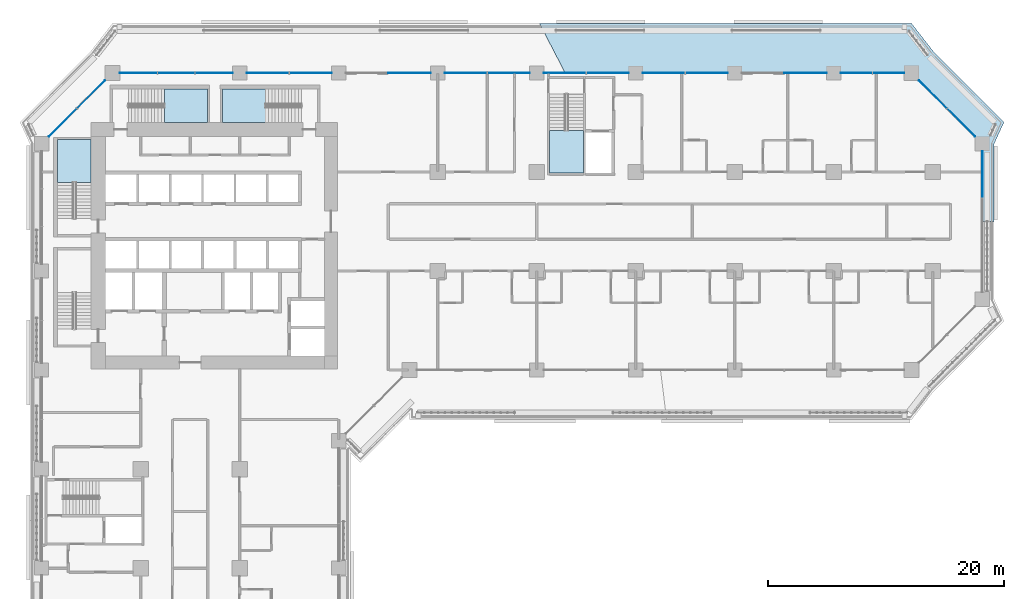
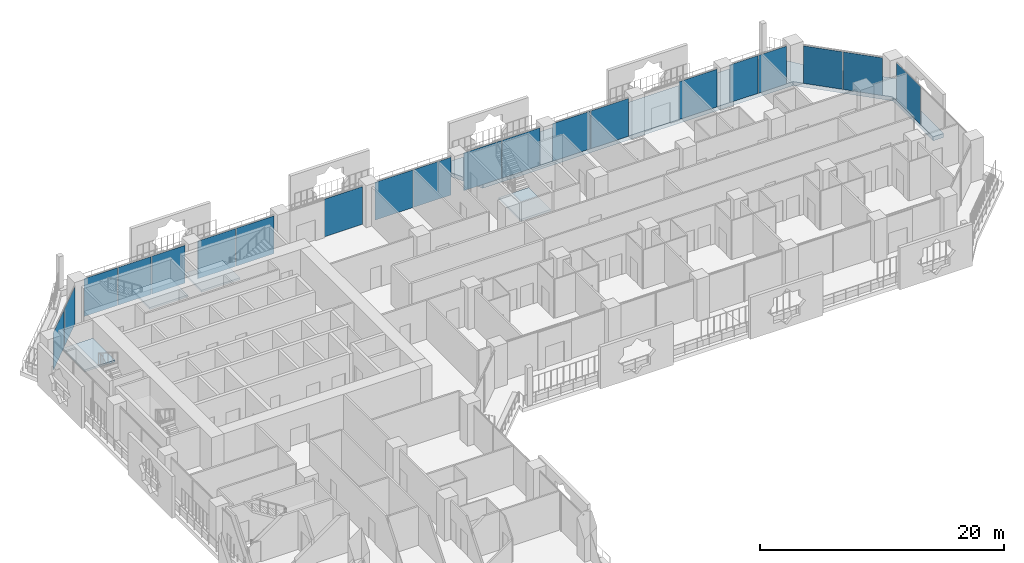
# One storey, part 12 of 29: 20 plates, 5 slabs, 8 elements without a shape of their own.
"""IFC4 building model written with IfcOpenShell, lengths in metres."""

import ifcopenshell
import ifcopenshell.guid

model = None  # the IFC model being written
_history = None  # IfcOwnerHistory: only IFC2X3 demands one
_inside = {}  # id of a spatial element -> (the spatial element, [elements in it])
_under = {}  # id of a project, library or spatial element -> (it, [spatial elements below it])
_declared = {}  # id of a project -> (the project, [libraries it declares])
_typed = {}  # id of a type object -> (the type object, [elements of that type])
_made_of = {}  # id of a material, layer set ... -> (it, [elements and type objects made of it])


def new_model(schema):
    """Start an empty IFC model of exactly this schema.

    Asked for "IFC4X3", IfcOpenShell would pick the latest addendum, in which some entities
    have other attributes; the version numbers below select the first issue.
    IFC2X3 requires an IfcOwnerHistory on every rooted entity: one is made here for all.
    """
    global model, _history
    if schema == "IFC4X3":
        model = ifcopenshell.file(schema_version=(4, 3, 0, 0))
    else:
        model = ifcopenshell.file(schema=schema)
    _inside.clear()
    _under.clear()
    _declared.clear()
    _typed.clear()
    _made_of.clear()
    _history = None
    if model.schema == "IFC2X3":
        org = make("IfcOrganization", Name="unknown")
        user = make(
            "IfcPersonAndOrganization",
            ThePerson=make("IfcPerson", FamilyName="unknown"),
            TheOrganization=org,
        )
        app = make(
            "IfcApplication",
            ApplicationDeveloper=org,
            Version="unknown",
            ApplicationFullName="unknown",
            ApplicationIdentifier="unknown",
        )
        _history = make(
            "IfcOwnerHistory",
            OwningUser=user,
            OwningApplication=app,
            ChangeAction="ADDED",
            CreationDate=0,
        )
    return model


def make(cls, **values):
    """One entity of the class cls with the attributes given. An attribute that is None is left unset."""
    return model.create_entity(
        cls, **{name: value for name, value in values.items() if value is not None}
    )


def rooted(cls, **values):
    """An entity with a GlobalId (a new one), such as an element, a storey or a relation."""
    return make(cls, GlobalId=ifcopenshell.guid.new(), OwnerHistory=_history, **values)


def si_unit(unit_type, name, prefix=None):
    """IfcSIUnit, for example si_unit("LENGTHUNIT", "METRE", prefix="MILLI")."""
    return make("IfcSIUnit", UnitType=unit_type, Prefix=prefix, Name=name)


def assignment(units):
    """IfcUnitAssignment: the units of a project."""
    return None if units is None else make("IfcUnitAssignment", Units=units)


def point(xyz):
    """IfcCartesianPoint."""
    return None if xyz is None else make("IfcCartesianPoint", Coordinates=xyz)


def direction(xyz):
    """IfcDirection."""
    return None if xyz is None else make("IfcDirection", DirectionRatios=xyz)


def frame(location, z_axis=None, x_axis=None):
    """IfcAxis2Placement3D, a coordinate frame: its origin and axes. An axis left out is left unset."""
    return make(
        "IfcAxis2Placement3D",
        Location=point(location),
        Axis=direction(z_axis),
        RefDirection=direction(x_axis),
    )


def frame_2d(location, x_axis=None):
    """IfcAxis2Placement2D, a coordinate frame in the plane: its origin and x axis."""
    return make(
        "IfcAxis2Placement2D", Location=point(location), RefDirection=direction(x_axis)
    )


def origin():
    """The frame at (0, 0, 0) with its axes left unset."""
    return frame((0.0, 0.0, 0.0))


def origin_2d():
    """The frame at (0, 0) in the plane with its x axis left unset."""
    return frame_2d((0.0, 0.0))


def place(relative_to, where):
    """IfcLocalPlacement: puts the frame where relative to a parent placement (None: the world)."""
    return make(
        "IfcLocalPlacement", PlacementRelTo=relative_to, RelativePlacement=where
    )


def context(
    kind, dimensions, precision=None, world=None, true_north=None, identifier=None
):
    """IfcGeometricRepresentationContext, for example the 3D "Model" context."""
    return make(
        "IfcGeometricRepresentationContext",
        ContextIdentifier=identifier,
        ContextType=kind,
        CoordinateSpaceDimension=dimensions,
        Precision=precision,
        WorldCoordinateSystem=world,
        TrueNorth=true_north,
    )


def subcontext(parent, identifier, kind, view, scale=None):
    """IfcGeometricRepresentationSubContext, for example "Body" below "Model"."""
    return make(
        "IfcGeometricRepresentationSubContext",
        ContextIdentifier=identifier,
        ContextType=kind,
        ParentContext=parent,
        TargetScale=scale,
        TargetView=view,
    )


def project(units=None, contexts=None):
    """IfcProject with its units and contexts."""
    return rooted(
        "IfcProject",
        Name="project",
        RepresentationContexts=contexts,
        UnitsInContext=assignment(units),
    )


def spatial(cls, under=None, at=None, **own):
    """A site, building, storey or space (cls), placed at a placement, below another one or the project."""
    s = rooted(cls, ObjectPlacement=at, **own)
    if under is not None:
        _under.setdefault(under.id(), (under, []))[1].append(s)
    return s


def polyline(points):
    """IfcPolyline through the points."""
    return make("IfcPolyline", Points=[point(p) for p in points])


def profile(cls, at=None, kind="AREA", **sizes):
    """A parametric profile (cls). Its sizes go by their IFC names, for example OverallWidth=200.0."""
    return make(cls, ProfileType=kind, Position=at, **sizes)


def rectangle(**sizes):
    """IfcRectangleProfileDef."""
    return profile("IfcRectangleProfileDef", **sizes)


def outline(outer, holes=None, kind="AREA"):
    """IfcArbitraryClosedProfileDef: a profile drawn as a closed curve; with holes, ...WithVoids."""
    if holes is None:
        return make("IfcArbitraryClosedProfileDef", ProfileType=kind, OuterCurve=outer)
    return make(
        "IfcArbitraryProfileDefWithVoids",
        ProfileType=kind,
        OuterCurve=outer,
        InnerCurves=holes,
    )


def extrude(swept, where, along, depth):
    """IfcExtrudedAreaSolid: the profile swept, set in the frame where, extruded along a direction by depth."""
    return make(
        "IfcExtrudedAreaSolid",
        SweptArea=swept,
        Position=where,
        ExtrudedDirection=direction(along),
        Depth=depth,
    )


def shape(context_of_items, identifier, shape_type, items):
    """IfcShapeRepresentation: the items that make up one representation, for example the "Body"."""
    return make(
        "IfcShapeRepresentation",
        ContextOfItems=context_of_items,
        RepresentationIdentifier=identifier,
        RepresentationType=shape_type,
        Items=items,
    )


def material(Name=None, Category=None):
    """IfcMaterial."""
    return make("IfcMaterial", Name=Name, Category=Category)


def layer(
    of_material, thickness, ventilated=None, Name=None, Category=None, Priority=None
):
    """IfcMaterialLayer: one layer of a wall or slab, of a material (None: an air gap)."""
    return make(
        "IfcMaterialLayer",
        Material=of_material,
        LayerThickness=thickness,
        IsVentilated=ventilated,
        Name=Name,
        Category=Category,
        Priority=Priority,
    )


def layer_set(layers, Name=None):
    """IfcMaterialLayerSet."""
    return make("IfcMaterialLayerSet", MaterialLayers=layers, LayerSetName=Name)


def made_of(thing, what):
    """Note that an element or type object is made of a material, layer set ...; save() writes the relation."""
    if what is not None:
        _made_of.setdefault(what.id(), (what, []))[1].append(thing)
    return thing


def type_object(cls, material=None, **own):
    """A type object (cls), such as IfcWallType, which elements share."""
    return made_of(rooted(cls, **own), material)


def element(
    cls,
    number,
    at=None,
    inside=None,
    cuts=None,
    type_object=None,
    material=None,
    context=None,
    identifier="Body",
    shape_type=None,
    held_by="IfcProductDefinitionShape",
    body=None,
    shapes=None,
    **own,
):
    """One element of the class cls, such as IfcWall. Its Tag is "e" and its number.

    at: its placement. inside: the storey or other place that contains it. cuts: it is an
    opening in that element (IfcRelVoidsElement). A single representation is given by context,
    identifier, shape_type and body (its items); several are given by shapes. held_by: the class
    of the entity that holds the representations. save() writes the other relations.
    """
    e = rooted(cls, Tag="e%d" % number, ObjectPlacement=at, **own)
    if body is not None:
        shapes = [shape(context, identifier, shape_type, body)]
    if shapes is not None:
        e.Representation = make(held_by, Representations=shapes)
    if inside is not None:
        _inside.setdefault(inside.id(), (inside, []))[1].append(e)
    if cuts is not None:
        rooted(
            "IfcRelVoidsElement", RelatingBuildingElement=cuts, RelatedOpeningElement=e
        )
    if type_object is not None:
        _typed.setdefault(type_object.id(), (type_object, []))[1].append(e)
    return made_of(e, material)


def aggregate(whole, parts):
    """IfcRelAggregates: a whole, such as a stair, and the parts it consists of."""
    return rooted("IfcRelAggregates", RelatingObject=whole, RelatedObjects=parts)


def save(model, path):
    """Write the relations noted so far, then the file.

    IfcRelAggregates (storeys below a building ...), IfcRelContainedInSpatialStructure (elements
    in a storey), IfcRelDefinesByType, IfcRelAssociatesMaterial and IfcRelDeclares: one each for
    every whole, place, type object, material and project.
    """
    for whole, parts in _under.values():
        aggregate(whole, parts)
    for where, things in _inside.values():
        rooted(
            "IfcRelContainedInSpatialStructure",
            RelatedElements=things,
            RelatingStructure=where,
        )
    for kind, things in _typed.values():
        rooted("IfcRelDefinesByType", RelatedObjects=things, RelatingType=kind)
    for what, things in _made_of.values():
        rooted("IfcRelAssociatesMaterial", RelatedObjects=things, RelatingMaterial=what)
    for by, libraries in _declared.values():
        rooted("IfcRelDeclares", RelatingContext=by, RelatedDefinitions=libraries)
    model.write(path)


model = new_model("IFC4")

# Units and contexts
model_context = context("Model", 3, precision=1e-05, world=origin(), true_north=direction((0.0, 1.0)))
body_context = subcontext(model_context, "Body", "Model", "MODEL_VIEW")
ifc_project = project(units=[si_unit("LENGTHUNIT", "METRE"), si_unit("AREAUNIT", "SQUARE_METRE"), si_unit("VOLUMEUNIT", "CUBIC_METRE"), si_unit("PLANEANGLEUNIT", "RADIAN"), si_unit("MASSUNIT", "GRAM", prefix="KILO")], contexts=[model_context])

# Site, building, storey
site_placement = place(None, origin())
site = spatial("IfcSite", under=ifc_project, at=site_placement, CompositionType="ELEMENT")
building_placement = place(site_placement, origin())
building = spatial("IfcBuilding", under=site, at=building_placement, Name="Kawkab Arch Medical Tower", CompositionType="ELEMENT")
storey_placement = place(building_placement, frame((0.0, 0.0, 60.199951171875)))
storey = spatial("IfcBuildingStorey", under=building, at=storey_placement, Name="L13", CompositionType="ELEMENT", Elevation=60.199951171875)

# Curtain wall, plate
ifc_material_1 = material(Name="Bronze anodised aluminium curtain wall frame", Category="aluminium")
ifc_layer_1 = layer(ifc_material_1, 0.159912109375)
ifc_layer_set_1 = layer_set([ifc_layer_1], Name="Bronze anodised aluminium curtain wall frame")
curtain_wall_type_1 = type_object("IfcCurtainWallType", Name="CW1 ward curtain wall", PredefinedType="NOTDEFINED", material=ifc_layer_set_1)
placement_1 = place(storey_placement, origin())
curtain_wall_1 = element("IfcCurtainWall", 1, at=placement_1, inside=storey, type_object=curtain_wall_type_1, Name="CW1 Ward curtain wall R09", PredefinedType="NOTDEFINED")
ifc_material_2 = material(Name="Tinted insulating glass, bronze low-e coating", Category="glass")
ifc_layer_2 = layer(ifc_material_2, 0.031982421875)
ifc_layer_set_2 = layer_set([ifc_layer_2], Name="Tinted insulating glass, bronze low-e coating")
plate_type_1 = type_object("IfcPlateType", Name="CW1 glazing unit 32", PredefinedType="CURTAIN_PANEL", material=ifc_layer_set_2)
plate_1_placement = place(storey_placement, frame((79.800048828125, -8.6015625, 0.0), z_axis=(0.0, 0.0, 1.0), x_axis=(0.0, 1.0, 0.0)))
plate_1 = element("IfcPlate", 2, at=plate_1_placement, type_object=plate_type_1, Name="CW1 glazing unit 1.3", PredefinedType="CURTAIN_PANEL", context=body_context, shape_type="SweptSolid", body=[
    extrude(rectangle(XDim=3.953369140625, YDim=0.031982421875, at=origin_2d()), origin(), (0.0, 0.0, 1.0), 3.780029296875),
])
aggregate(curtain_wall_1, [plate_1])

# Curtain wall, plates
curtain_wall_2 = element("IfcCurtainWall", 3, at=placement_1, inside=storey, type_object=curtain_wall_type_1, Name="CW1 Ward curtain wall R11", PredefinedType="NOTDEFINED")
plate_2_placement = place(storey_placement, frame((71.84619140625, 0.0, 0.0), z_axis=(0.0, 0.0, 1.0), x_axis=(-1.0, 0.0, 0.0)))
plate_2 = element("IfcPlate", 4, at=plate_2_placement, type_object=plate_type_1, Name="CW1 glazing unit 1.1", PredefinedType="CURTAIN_PANEL", context=body_context, shape_type="SweptSolid", body=[
    extrude(rectangle(XDim=2.657470703125, YDim=0.031982421875, at=origin_2d()), origin(), (0.0, 0.0, 1.0), 3.780029296875),
])
plate_3_placement = place(storey_placement, frame((69.128662109375, 0.0, 0.0), z_axis=(0.0, 0.0, 1.0), x_axis=(-1.0, 0.0, 0.0)))
plate_3 = element("IfcPlate", 5, at=plate_3_placement, type_object=plate_type_1, Name="CW1 glazing unit 1.2", PredefinedType="CURTAIN_PANEL", context=body_context, shape_type="SweptSolid", body=[
    extrude(rectangle(XDim=2.657470703125, YDim=0.031982421875, at=origin_2d()), origin(), (0.0, 0.0, 1.0), 3.780029296875),
])
plate_4_placement = place(storey_placement, frame((64.800048828125, 0.0, 0.0), z_axis=(0.0, 0.0, 1.0), x_axis=(-1.0, 0.0, 0.0)))
plate_4 = element("IfcPlate", 6, at=plate_4_placement, type_object=plate_type_1, Name="CW1 glazing unit 2.1", PredefinedType="CURTAIN_PANEL", context=body_context, shape_type="SweptSolid", body=[
    extrude(rectangle(XDim=3.60009765625, YDim=0.031982421875, at=origin_2d()), origin(), (0.0, 0.0, 1.0), 3.780029296875),
])
plate_5_placement = place(storey_placement, frame((56.4150390625, 0.0, 0.0), z_axis=(0.0, 0.0, 1.0), x_axis=(-1.0, 0.0, 0.0)))
plate_5 = element("IfcPlate", 7, at=plate_5_placement, type_object=plate_type_1, Name="CW1 glazing unit 3.1", PredefinedType="CURTAIN_PANEL", context=body_context, shape_type="SweptSolid", body=[
    extrude(rectangle(XDim=3.570068359375, YDim=0.031982421875, at=origin_2d()), origin(), (0.0, 0.0, 1.0), 3.780029296875),
])
plate_6_placement = place(storey_placement, frame((52.784912109375, 0.0, 0.0), z_axis=(0.0, 0.0, 1.0), x_axis=(-1.0, 0.0, 0.0)))
plate_6 = element("IfcPlate", 8, at=plate_6_placement, type_object=plate_type_1, Name="CW1 glazing unit 3.2", PredefinedType="CURTAIN_PANEL", context=body_context, shape_type="SweptSolid", body=[
    extrude(rectangle(XDim=3.570068359375, YDim=0.031982421875, at=origin_2d()), origin(), (0.0, 0.0, 1.0), 3.780029296875),
])
plate_7_placement = place(storey_placement, frame((48.014892578125, 0.0, 0.0), z_axis=(0.0, 0.0, 1.0), x_axis=(-1.0, 0.0, 0.0)))
plate_7 = element("IfcPlate", 9, at=plate_7_placement, type_object=plate_type_1, Name="CW1 glazing unit 4.1", PredefinedType="CURTAIN_PANEL", context=body_context, shape_type="SweptSolid", body=[
    extrude(rectangle(XDim=3.570068359375, YDim=0.031982421875, at=origin_2d()), origin(), (0.0, 0.0, 1.0), 3.780029296875),
])
plate_8_placement = place(storey_placement, frame((44.385009765625, 0.0, 0.0), z_axis=(0.0, 0.0, 1.0), x_axis=(-1.0, 0.0, 0.0)))
plate_8 = element("IfcPlate", 10, at=plate_8_placement, type_object=plate_type_1, Name="CW1 glazing unit 4.2", PredefinedType="CURTAIN_PANEL", context=body_context, shape_type="SweptSolid", body=[
    extrude(rectangle(XDim=3.570068359375, YDim=0.031982421875, at=origin_2d()), origin(), (0.0, 0.0, 1.0), 3.780029296875),
])
plate_9_placement = place(storey_placement, frame((39.614990234375, 0.0, 0.0), z_axis=(0.0, 0.0, 1.0), x_axis=(-1.0, 0.0, 0.0)))
plate_9 = element("IfcPlate", 11, at=plate_9_placement, type_object=plate_type_1, Name="CW1 glazing unit 5.1", PredefinedType="CURTAIN_PANEL", context=body_context, shape_type="SweptSolid", body=[
    extrude(rectangle(XDim=3.570068359375, YDim=0.031982421875, at=origin_2d()), origin(), (0.0, 0.0, 1.0), 3.780029296875),
])
plate_10_placement = place(storey_placement, frame((35.985107421875, 0.0, 0.0), z_axis=(0.0, 0.0, 1.0), x_axis=(-1.0, 0.0, 0.0)))
plate_10 = element("IfcPlate", 12, at=plate_10_placement, type_object=plate_type_1, Name="CW1 glazing unit 5.2", PredefinedType="CURTAIN_PANEL", context=body_context, shape_type="SweptSolid", body=[
    extrude(rectangle(XDim=3.570068359375, YDim=0.031982421875, at=origin_2d()), origin(), (0.0, 0.0, 1.0), 3.780029296875),
])
plate_11_placement = place(storey_placement, frame((31.199951171875, 0.0, 0.0), z_axis=(0.0, 0.0, 1.0), x_axis=(-1.0, 0.0, 0.0)))
plate_11 = element("IfcPlate", 13, at=plate_11_placement, type_object=plate_type_1, Name="CW1 glazing unit 6.1", PredefinedType="CURTAIN_PANEL", context=body_context, shape_type="SweptSolid", body=[
    extrude(rectangle(XDim=3.60009765625, YDim=0.031982421875, at=origin_2d()), origin(), (0.0, 0.0, 1.0), 3.780029296875),
])
plate_12_placement = place(storey_placement, frame((22.81494140625, 0.0, 0.0), z_axis=(0.0, 0.0, 1.0), x_axis=(-1.0, 0.0, 0.0)))
plate_12 = element("IfcPlate", 14, at=plate_12_placement, type_object=plate_type_1, Name="CW1 glazing unit 7.1", PredefinedType="CURTAIN_PANEL", context=body_context, shape_type="SweptSolid", body=[
    extrude(rectangle(XDim=3.570068359375, YDim=0.031982421875, at=origin_2d()), origin(), (0.0, 0.0, 1.0), 3.780029296875),
])
plate_13_placement = place(storey_placement, frame((19.18505859375, 0.0, 0.0), z_axis=(0.0, 0.0, 1.0), x_axis=(-1.0, 0.0, 0.0)))
plate_13 = element("IfcPlate", 15, at=plate_13_placement, type_object=plate_type_1, Name="CW1 glazing unit 7.2", PredefinedType="CURTAIN_PANEL", context=body_context, shape_type="SweptSolid", body=[
    extrude(rectangle(XDim=3.570068359375, YDim=0.031982421875, at=origin_2d()), origin(), (0.0, 0.0, 1.0), 3.780029296875),
])
plate_14_placement = place(storey_placement, frame((14.619140625, 0.0, 0.0), z_axis=(0.0, 0.0, 1.0), x_axis=(-1.0, 0.0, 0.0)))
plate_14 = element("IfcPlate", 16, at=plate_14_placement, type_object=plate_type_1, Name="CW1 glazing unit 8.1", PredefinedType="CURTAIN_PANEL", context=body_context, shape_type="SweptSolid", body=[
    extrude(rectangle(XDim=3.16162109375, YDim=0.031982421875, at=origin_2d()), origin(), (0.0, 0.0, 1.0), 3.780029296875),
])
plate_15_placement = place(storey_placement, frame((11.41259765625, 0.0, 0.0), z_axis=(0.0, 0.0, 1.0), x_axis=(-1.0, 0.0, 0.0)))
plate_15 = element("IfcPlate", 17, at=plate_15_placement, type_object=plate_type_1, Name="CW1 glazing unit 8.2", PredefinedType="CURTAIN_PANEL", context=body_context, shape_type="SweptSolid", body=[
    extrude(rectangle(XDim=3.131591796875, YDim=0.031982421875, at=origin_2d()), origin(), (0.0, 0.0, 1.0), 3.780029296875),
])
plate_16_placement = place(storey_placement, frame((8.205810546875, 0.0, 0.0), z_axis=(0.0, 0.0, 1.0), x_axis=(-1.0, 0.0, 0.0)))
plate_16 = element("IfcPlate", 18, at=plate_16_placement, type_object=plate_type_1, Name="CW1 glazing unit 8.3", PredefinedType="CURTAIN_PANEL", context=body_context, shape_type="SweptSolid", body=[
    extrude(rectangle(XDim=3.16162109375, YDim=0.031982421875, at=origin_2d()), origin(), (0.0, 0.0, 1.0), 3.780029296875),
])
aggregate(curtain_wall_2, [plate_2, plate_3, plate_4, plate_5, plate_6, plate_7, plate_8, plate_9, plate_10, plate_11, plate_12, plate_13, plate_14, plate_15, plate_16])

ifc_material_3 = material(Name="Bronze anodised aluminium curtain wall frame", Category="aluminium")
ifc_layer_3 = layer(ifc_material_3, 0.159912109375)
ifc_layer_set_3 = layer_set([ifc_layer_3], Name="Bronze anodised aluminium curtain wall frame")
curtain_wall_type_2 = type_object("IfcCurtainWallType", Name="CW2 chamfer curtain wall", PredefinedType="NOTDEFINED", material=ifc_layer_set_3)
curtain_wall_3 = element("IfcCurtainWall", 19, at=placement_1, inside=storey, type_object=curtain_wall_type_2, Name="CW2 Chamfer curtain wall R10", PredefinedType="NOTDEFINED")
ifc_material_4 = material(Name="Tinted insulating glass, bronze low-e coating", Category="glass")
ifc_layer_4 = layer(ifc_material_4, 0.031982421875)
ifc_layer_set_4 = layer_set([ifc_layer_4], Name="Tinted insulating glass, bronze low-e coating")
plate_type_2 = type_object("IfcPlateType", Name="CW2 glazing unit 32", PredefinedType="CURTAIN_PANEL", material=ifc_layer_set_4)
plate_17_placement = place(storey_placement, frame((77.998046875, -4.197998046875, 0.0), z_axis=(0.0, 0.0, 1.0), x_axis=(-0.707106781187, 0.707106781187, 0.0)))
plate_17 = element("IfcPlate", 20, at=plate_17_placement, type_object=plate_type_2, Name="CW2 glazing unit 1.1", PredefinedType="CURTAIN_PANEL", context=body_context, shape_type="SweptSolid", body=[
    extrude(rectangle(XDim=3.328857421875, YDim=0.031982421875, at=origin_2d()), origin(), (0.0, 0.0, 1.0), 3.760009765625),
])
plate_18_placement = place(storey_placement, frame((75.601806640625, -1.802001953125, 0.0), z_axis=(0.0, 0.0, 1.0), x_axis=(-0.707106781187, 0.707106781187, 0.0)))
plate_18 = element("IfcPlate", 21, at=plate_18_placement, type_object=plate_type_2, Name="CW2 glazing unit 1.2", PredefinedType="CURTAIN_PANEL", context=body_context, shape_type="SweptSolid", body=[
    extrude(rectangle(XDim=3.328857421875, YDim=0.031982421875, at=origin_2d()), origin(), (0.0, 0.0, 1.0), 3.760009765625),
])
aggregate(curtain_wall_3, [plate_17, plate_18])

curtain_wall_4 = element("IfcCurtainWall", 22, at=placement_1, inside=storey, type_object=curtain_wall_type_2, Name="CW2 Chamfer curtain wall R12", PredefinedType="NOTDEFINED")
plate_19_placement = place(storey_placement, frame((4.197998046875, -1.802001953125, 0.0), z_axis=(0.0, 0.0, 1.0), x_axis=(-0.707106781187, -0.707106781187, 0.0)))
plate_19 = element("IfcPlate", 23, at=plate_19_placement, type_object=plate_type_2, Name="CW2 glazing unit 1.1", PredefinedType="CURTAIN_PANEL", context=body_context, shape_type="SweptSolid", body=[
    extrude(rectangle(XDim=3.328857421875, YDim=0.031982421875, at=origin_2d()), origin(), (0.0, 0.0, 1.0), 3.760009765625),
])
plate_20_placement = place(storey_placement, frame((1.802001953125, -4.197998046875, 0.0), z_axis=(0.0, 0.0, 1.0), x_axis=(-0.707106781187, -0.707106781187, 0.0)))
plate_20 = element("IfcPlate", 24, at=plate_20_placement, type_object=plate_type_2, Name="CW2 glazing unit 1.2", PredefinedType="CURTAIN_PANEL", context=body_context, shape_type="SweptSolid", body=[
    extrude(rectangle(XDim=3.328857421875, YDim=0.031982421875, at=origin_2d()), origin(), (0.0, 0.0, 1.0), 3.760009765625),
])
aggregate(curtain_wall_4, [plate_19, plate_20])

# Stair, slab
ifc_material_5 = material(Name="Concrete C40/50", Category="concrete")
stair_type = type_object("IfcStairType", Name="Exit stair 1350", PredefinedType="HALF_TURN_STAIR", material=ifc_material_5)
stair_1 = element("IfcStair", 25, at=placement_1, inside=storey, type_object=stair_type, Name="L13 Exit stair ST1", PredefinedType="HALF_TURN_STAIR")
ifc_material_6 = material(Name="Concrete C40/50", Category="concrete")
ifc_layer_5 = layer(ifc_material_6, 0.199951171875)
ifc_layer_set_5 = layer_set([ifc_layer_5], Name="Concrete C40/50")
slab_type_1 = type_object("IfcSlabType", Name="Exit stair landing 200", PredefinedType="LANDING", material=ifc_layer_set_5)
placement_2 = place(storey_placement, frame((0.0, 0.0, 1.900146484375)))
slab_1 = element("IfcSlab", 26, at=placement_2, type_object=slab_type_1, Name="ST1 landing 1", PredefinedType="LANDING", context=body_context, shape_type="SweptSolid", body=[
    extrude(outline(polyline([(4.199951171875, -9.27001953125), (4.199951171875, -5.64990234375), (1.35009765625, -5.64990234375), (1.35009765625, -9.27001953125), (4.199951171875, -9.27001953125)])), origin(), (0.0, 0.0, 1.0), 0.199951171875),
])
aggregate(stair_1, [slab_1])

stair_2 = element("IfcStair", 27, at=placement_1, inside=storey, type_object=stair_type, Name="L13 Exit stair ST3", PredefinedType="HALF_TURN_STAIR")
slab_2 = element("IfcSlab", 28, at=placement_2, type_object=slab_type_1, Name="ST3 landing 1", PredefinedType="LANDING", context=body_context, shape_type="SweptSolid", body=[
    extrude(outline(polyline([(10.429931640625, -4.199951171875), (14.050048828125, -4.199951171875), (14.050048828125, -1.35009765625), (10.429931640625, -1.35009765625), (10.429931640625, -4.199951171875)])), origin(), (0.0, 0.0, 1.0), 0.199951171875),
])
aggregate(stair_2, [slab_2])

stair_3 = element("IfcStair", 29, at=placement_1, inside=storey, type_object=stair_type, Name="L13 Exit stair ST4", PredefinedType="HALF_TURN_STAIR")
slab_3 = element("IfcSlab", 30, at=placement_2, type_object=slab_type_1, Name="ST4 landing 1", PredefinedType="LANDING", context=body_context, shape_type="SweptSolid", body=[
    extrude(outline(polyline([(18.969970703125, -1.35009765625), (15.35009765625, -1.35009765625), (15.35009765625, -4.199951171875), (18.969970703125, -4.199951171875), (18.969970703125, -1.35009765625)])), origin(), (0.0, 0.0, 1.0), 0.199951171875),
])
aggregate(stair_3, [slab_3])

stair_4 = element("IfcStair", 31, at=placement_1, inside=storey, type_object=stair_type, Name="L13 Exit stair ST5", PredefinedType="HALF_TURN_STAIR")
slab_4 = element("IfcSlab", 32, at=placement_2, type_object=slab_type_1, Name="ST5 landing 1", PredefinedType="LANDING", context=body_context, shape_type="SweptSolid", body=[
    extrude(outline(polyline([(43.10009765625, -4.8798828125), (43.10009765625, -8.5), (45.949951171875, -8.5), (45.949951171875, -4.8798828125), (43.10009765625, -4.8798828125)])), origin(), (0.0, 0.0, 1.0), 0.199951171875),
])
aggregate(stair_4, [slab_4])

# Slab
ifc_material_7 = material(Name="Concrete C40/50", Category="concrete")
ifc_layer_6 = layer(ifc_material_7, 0.39990234375)
ifc_layer_set_6 = layer_set([ifc_layer_6], Name="Concrete C40/50")
slab_type_2 = type_object("IfcSlabType", Name="Loggia slab 400", PredefinedType="FLOOR", material=ifc_layer_set_6)
slab_5_placement = place(storey_placement, frame((0.0, 0.0, -0.39990234375)))
element("IfcSlab", 33, at=slab_5_placement, inside=storey, type_object=slab_type_2, Name="Loggia slab L13.6", PredefinedType="FLOOR", context=body_context, shape_type="SweptSolid", body=[
    extrude(outline(polyline([(75.637939453125, 1.837890625), (81.637939453125, -4.162109375), (80.800048828125, -6.0), (80.800048828125, -12.60009765625), (79.800048828125, -12.60009765625), (79.800048828125, -6.0), (73.800048828125, 0.0), (73.800048828125, 0.0009765625), (44.410888671875, 0.0009765625), (42.23388671875, 4.199951171875), (73.800048828125, 4.199951171875), (75.637939453125, 1.837890625)])), origin(), (0.0, 0.0, 1.0), 0.39990234375),
])

save(model, "model.ifc")
